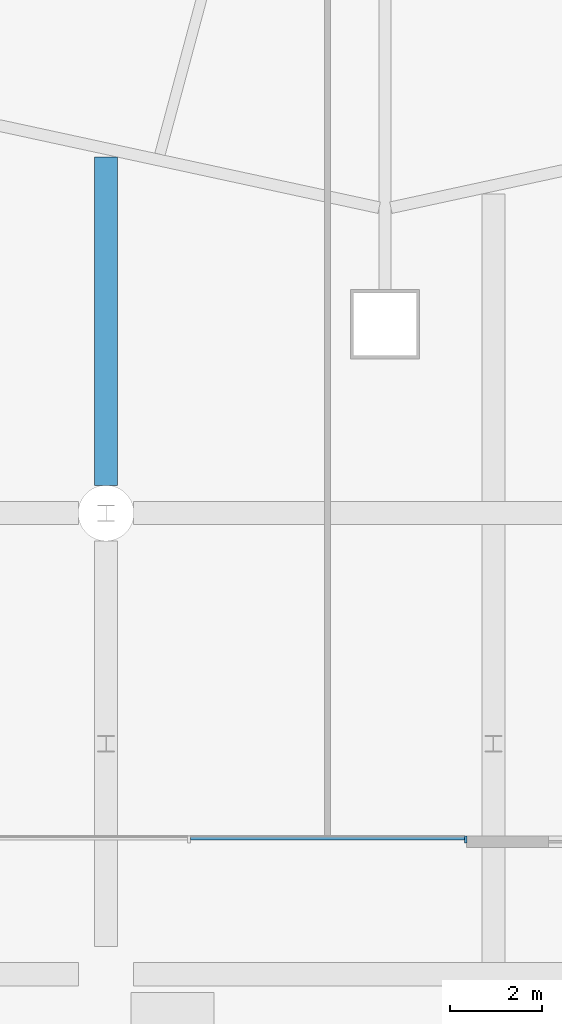
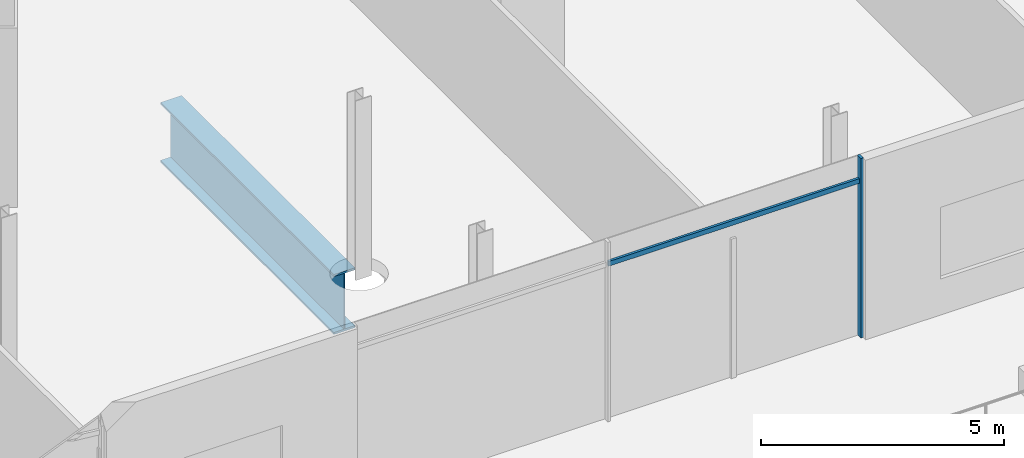
# One storey, part 12 of 56: 2 members, 1 beam, 1 element without a shape of its own.
"""IFC4 building model written with IfcOpenShell, lengths in metres."""

from ifc_helpers import new_model, si_unit, direction, frame, origin, origin_2d, place, context, subcontext, project, spatial, rectangle, i_section, extrude, material, material_profile, profile_set, type_object, element, aggregate, save


model = new_model("IFC4")

# Units and contexts
model_context = context("Model", 3, precision=1e-05, world=origin(), true_north=direction((0.0, 1.0)))
body_context = subcontext(model_context, "Body", "Model", "MODEL_VIEW")
ifc_project = project(units=[si_unit("LENGTHUNIT", "METRE"), si_unit("AREAUNIT", "SQUARE_METRE"), si_unit("VOLUMEUNIT", "CUBIC_METRE"), si_unit("PLANEANGLEUNIT", "RADIAN"), si_unit("MASSUNIT", "GRAM", prefix="KILO")], contexts=[model_context])

# Site, building, storey
site_placement = place(None, origin())
site = spatial("IfcSite", under=ifc_project, at=site_placement, CompositionType="ELEMENT")
building_placement = place(site_placement, origin())
building = spatial("IfcBuilding", under=site, at=building_placement, Name="Rimbun Link Towers", CompositionType="ELEMENT")
storey_placement = place(building_placement, frame((0.0, 0.0, 16.5)))
storey = spatial("IfcBuildingStorey", under=building, at=storey_placement, Name="L03", CompositionType="ELEMENT", Elevation=16.5)

# Curtain wall, members
ifc_material_1 = material(Name="Aluminium 6063-T6 and low-iron glass", Category="aluminium")
curtain_wall_type = type_object("IfcCurtainWallType", Name="CW3 podium shopfront", PredefinedType="NOTDEFINED", material=ifc_material_1)
curtain_wall_placement = place(storey_placement, origin())
curtain_wall = element("IfcCurtainWall", 1, at=curtain_wall_placement, inside=storey, type_object=curtain_wall_type, Name="CW3 L03 PD", PredefinedType="NOTDEFINED")
ifc_material_2 = material(Name="Aluminium 6063-T6", Category="aluminium")
ifc_material_profile_1 = material_profile(ifc_material_2, rectangle(XDim=0.14990234375, YDim=0.06005859375, at=origin_2d()), Name="MULLION 60X150")
ifc_profile_set_1 = profile_set([ifc_material_profile_1], Name="Aluminium 6063-T6")
member_type_1 = type_object("IfcMemberType", Name="CW3 mullion 60X150", PredefinedType="MULLION", material=ifc_profile_set_1)
member_1_placement = place(storey_placement, frame((-30.0, -33.074951171875, 0.0), z_axis=(0.0, 0.0, 1.0), x_axis=(0.0, -1.0, 0.0)))
member_1 = element("IfcMember", 2, at=member_1_placement, type_object=member_type_1, Name="CW3 mullion", PredefinedType="MULLION", context=body_context, shape_type="SweptSolid", body=[
    extrude(rectangle(XDim=0.14990234375, YDim=0.06005859375, at=origin_2d()), origin(), (0.0, 0.0, 1.0), 4.5),
])
ifc_material_3 = material(Name="Aluminium 6063-T6", Category="aluminium")
ifc_material_profile_2 = material_profile(ifc_material_3, rectangle(XDim=0.06005859375, YDim=0.1201171875, at=origin_2d()), Name="TRANSOM 60X120")
ifc_profile_set_2 = profile_set([ifc_material_profile_2], Name="Aluminium 6063-T6")
member_type_2 = type_object("IfcMemberType", Name="CW3 transom 60X120", PredefinedType="USERDEFINED", material=ifc_profile_set_2)
member_2_placement = place(storey_placement, frame((-30.030029296875, -33.053955078125, 3.89990234375), z_axis=(-1.0, 0.0, 0.0), x_axis=(0.0, -1.0, 0.0)))
member_2 = element("IfcMember", 3, at=member_2_placement, type_object=member_type_2, Name="CW3 transom", ObjectType="TRANSOM", PredefinedType="USERDEFINED", context=body_context, shape_type="SweptSolid", body=[
    extrude(rectangle(XDim=0.06005859375, YDim=0.1201171875, at=origin_2d()), origin(), (0.0, 0.0, 1.0), 5.93994140625),
])
aggregate(curtain_wall, [member_1, member_2])

# Beam
ifc_material_4 = material(Name="Steel S355J2", Category="steel")
ifc_material_profile_3 = material_profile(ifc_material_4, i_section(OverallWidth=0.5, OverallDepth=1.5, WebThickness=0.030029296875, FlangeThickness=0.050048828125, at=origin_2d()), Name="PG 1500x500x30/50")
ifc_profile_set_3 = profile_set([ifc_material_profile_3], Name="Steel S355J2")
beam_type = type_object("IfcBeamType", Name="PG 1500x500x30/50", PredefinedType="BEAM", material=ifc_profile_set_3)
beam_placement = place(storey_placement, frame((-37.800048828125, -25.39990234375, -1.050048828125), z_axis=(0.0, 1.0, 0.0), x_axis=(-1.0, 0.0, 0.0)))
element("IfcBeam", 4, at=beam_placement, inside=storey, type_object=beam_type, Name="Grid beam L03 -37.8", PredefinedType="BEAM", context=body_context, shape_type="SweptSolid", body=[
    extrude(i_section(OverallWidth=0.5, OverallDepth=1.5, WebThickness=0.030029296875, FlangeThickness=0.050048828125, at=origin_2d()), origin(), (0.0, 0.0, 1.0), 7.12109375),
])

save(model, "model.ifc")
